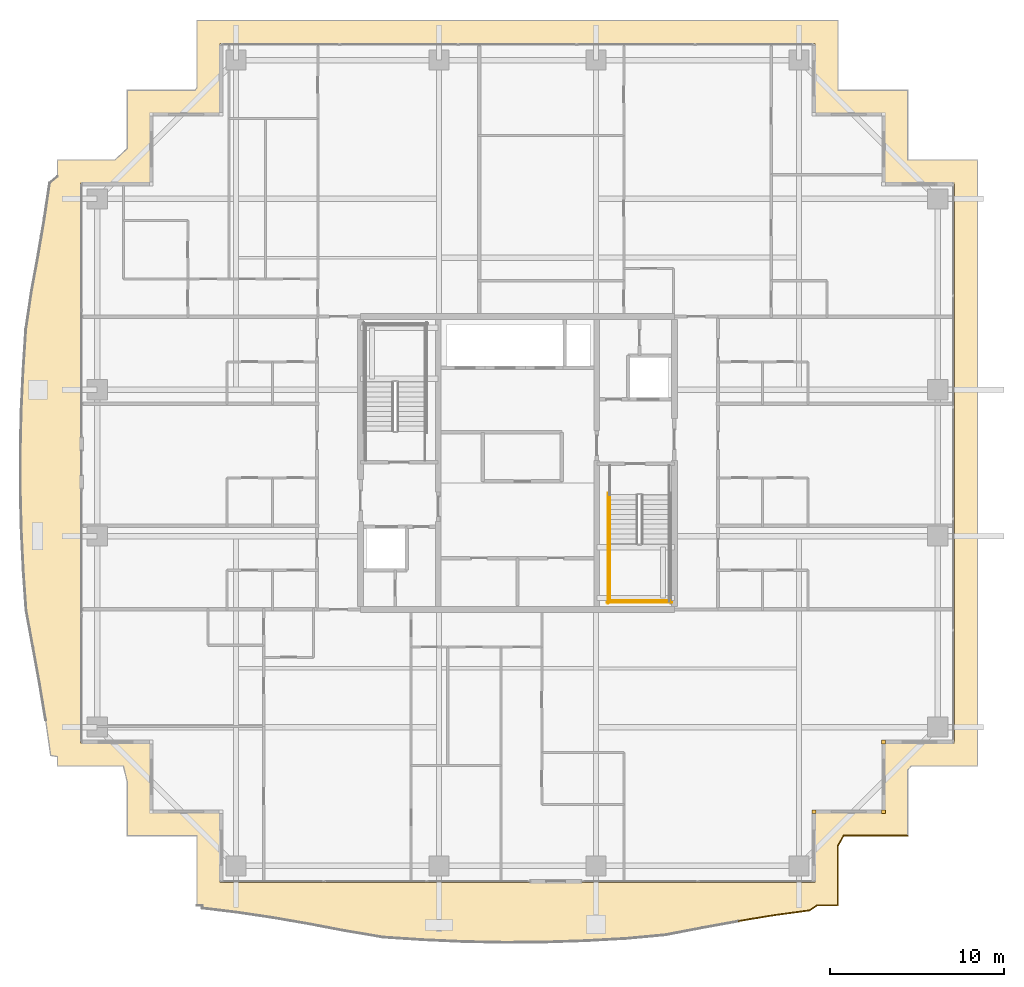
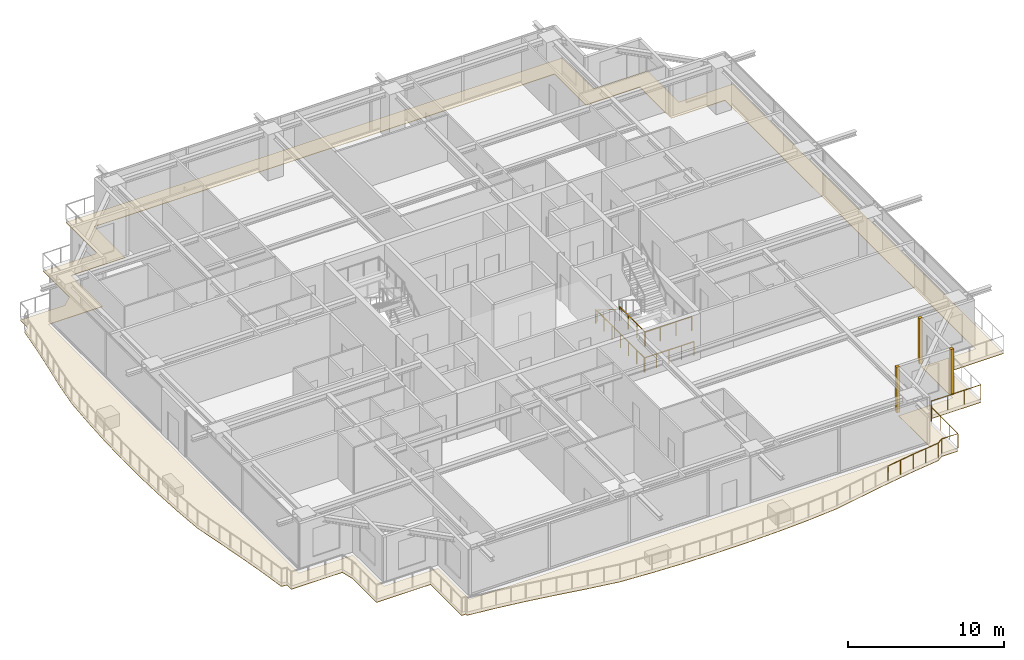
# One storey, part 34 of 36: 6 railings, 4 coverings.
"""IFC4 building model written with IfcOpenShell, lengths in metres."""

from ifc_helpers import new_model, si_unit, direction, frame, origin, origin_2d, place, context, subcontext, project, spatial, polyline, rectangle, circle, outline, extrude, source, transform, mapped, material, layer, layer_set, type_object, element, save


model = new_model("IFC4")

# Units and contexts
model_context = context("Model", 3, precision=1e-05, world=origin(), true_north=direction((0.0, 1.0)))
body_context = subcontext(model_context, "Body", "Model", "MODEL_VIEW")
ifc_project = project(units=[si_unit("LENGTHUNIT", "METRE"), si_unit("AREAUNIT", "SQUARE_METRE"), si_unit("VOLUMEUNIT", "CUBIC_METRE"), si_unit("PLANEANGLEUNIT", "RADIAN"), si_unit("MASSUNIT", "GRAM", prefix="KILO")], contexts=[model_context])

# Site, building, storey
site_placement = place(None, origin())
site = spatial("IfcSite", under=ifc_project, at=site_placement, CompositionType="ELEMENT")
building_placement = place(site_placement, origin())
building = spatial("IfcBuilding", under=site, at=building_placement, Name="Serunith Strait Residences", CompositionType="ELEMENT")
storey_placement = place(building_placement, frame((0.0, 0.0, 256.64990234375)))
storey = spatial("IfcBuildingStorey", under=building, at=storey_placement, Name="L64", CompositionType="ELEMENT", Elevation=256.64990234375)

# Covering
ifc_material_1 = material(Name="Golden Teak Exterior Timber Boarding", Category="wood")
ifc_layer_1 = layer(ifc_material_1, 0.034912109375, Name="Golden Teak Exterior Timber Boarding")
ifc_layer_set_1 = layer_set([ifc_layer_1], Name="Golden Teak Exterior Timber Boarding")
covering_type_1 = type_object("IfcCoveringType", Name="COV-TEAK-SOFFIT", PredefinedType="CEILING", material=ifc_layer_set_1)
covering_placement = place(storey_placement, frame((0.0, 0.0, -0.324951171875)))
element("IfcCovering", 1, at=covering_placement, inside=storey, type_object=covering_type_1, Name="L64 Golden-Teak Balcony Soffit Lining", PredefinedType="CEILING", context=body_context, shape_type="SweptSolid", body=[
    extrude(outline(polyline([(14.02001953125, -0.179931640625), (14.02001953125, 3.820068359375), (10.02001953125, 3.820068359375), (10.02001953125, 6.923828125), (9.799560546875, 7.820068359375), (6.02001953125, 7.820068359375), (6.02001953125, 8.360107421875), (5.632080078125, 8.42529296875), (5.34375, 10.454345703125), (5.0029296875, 12.506103515625), (4.621337890625, 14.597900390625), (4.225341796875, 16.74755859375), (4.06591796875, 19.013671875), (3.954345703125, 21.3125), (3.8955078125, 23.632080078125), (3.894287109375, 25.960205078125), (3.950439453125, 28.281982421875), (4.05859375, 30.584716796875), (4.208984375, 32.8583984375), (4.5322265625, 35.046630859375), (4.9189453125, 37.154296875), (5.27001953125, 39.21728515625), (5.5703125, 41.253173828125), (6.02001953125, 41.634765625), (6.02001953125, 42.580078125), (9.318603515625, 42.580078125), (10.02001953125, 43.2373046875), (10.02001953125, 46.580078125), (13.9189453125, 46.580078125), (14.02001953125, 46.734619140625), (14.02001953125, 50.580078125), (50.780029296875, 50.580078125), (50.780029296875, 46.580078125), (54.780029296875, 46.580078125), (54.780029296875, 42.580078125), (58.780029296875, 42.580078125), (58.780029296875, 7.820068359375), (54.97509765625, 7.820068359375), (54.780029296875, 7.597900390625), (54.780029296875, 3.820068359375), (51.106689453125, 3.820068359375), (50.780029296875, 3.230712890625), (50.780029296875, -0.179931640625), (49.564697265625, -0.179931640625), (49.153564453125, -0.465087890625), (47.12744140625, -0.74169921875), (45.081787109375, -1.076171875), (42.9990234375, -1.459716796875), (40.858642578125, -1.867919921875), (38.603271484375, -2.0751953125), (36.30126953125, -2.2041015625), (33.974365234375, -2.281005859375), (31.63623046875, -2.2978515625), (29.302001953125, -2.252685546875), (26.987060546875, -2.14990234375), (24.702880859375, -1.9990234375), (22.5244140625, -1.631591796875), (20.422607421875, -1.233154296875), (18.3662109375, -0.875732421875), (16.335693359375, -0.57421875), (14.31591796875, -0.330322265625), (14.317138671875, -0.179931640625), (14.02001953125, -0.179931640625)]), holes=[polyline([(49.455078125, 1.14501953125), (49.455078125, 5.14501953125), (53.455078125, 5.14501953125), (53.455078125, 9.14501953125), (57.455078125, 9.14501953125), (57.455078125, 41.2548828125), (53.455078125, 41.2548828125), (53.455078125, 45.2548828125), (49.455078125, 45.2548828125), (49.455078125, 49.2548828125), (15.344970703125, 49.2548828125), (15.344970703125, 45.2548828125), (11.344970703125, 45.2548828125), (11.344970703125, 41.2548828125), (7.344970703125, 41.2548828125), (7.344970703125, 9.14501953125), (11.344970703125, 9.14501953125), (11.344970703125, 5.14501953125), (15.344970703125, 5.14501953125), (15.344970703125, 1.14501953125), (49.455078125, 1.14501953125)])]), origin(), (0.0, 0.0, 1.0), 0.03515625),
])

# Railings
ifc_material_2 = material(Name="Stainless Steel & Laminated Glass Balustrade", Category="steel")
railing_type_1 = type_object("IfcRailingType", Name="RLG-BALC-1150", PredefinedType="BALUSTRADE", material=ifc_material_2)
railing_1_placement = place(storey_placement, frame((54.780029296875, 3.820068359375, -0.0498046875)))
element("IfcRailing", 2, at=railing_1_placement, inside=storey, type_object=railing_type_1, Name="L64 Swirling Balcony Perimeter Balustrade 6", PredefinedType="BALUSTRADE", context=body_context, shape_type="SweptSolid", body=[
    extrude(circle(Radius=0.02392578125, at=origin_2d()), frame((-0.001953125, 0.0, 1.1259765625), z_axis=(-1.0, 0.0, 0.0), x_axis=(0.0, -1.0, 0.0)), (0.0, 0.0, 1.0), 3.66943359375),
    extrude(circle(Radius=0.02392578125, at=origin_2d()), frame((-3.67431640625, -0.001708984375, 1.1259765625), z_axis=(-0.484781335904, -0.874635384808, 0.0), x_axis=(0.874635384808, -0.484781335904, 0.0)), (0.0, 0.0, 1.0), 0.669921875),
    extrude(circle(Radius=0.02392578125, at=origin_2d()), frame((-4.0, -0.59130859375, 1.1259765625), z_axis=(0.0, -1.0, 0.0), x_axis=(1.0, 0.0, 0.0)), (0.0, 0.0, 1.0), 3.40673828125),
    extrude(circle(Radius=0.02392578125, at=origin_2d()), frame((-4.001953125, -4.0, 1.1259765625), z_axis=(-1.0, 0.0, 0.0), x_axis=(0.0, -1.0, 0.0)), (0.0, 0.0, 1.0), 1.21142578125),
    extrude(circle(Radius=0.02392578125, at=origin_2d()), frame((-5.217041015625, -4.001220703125, 1.1259765625), z_axis=(-0.821700035745, -0.569920214816, 0.0), x_axis=(0.569920214816, -0.821700035745, 0.0)), (0.0, 0.0, 1.0), 0.496337890625),
    extrude(circle(Radius=0.02392578125, at=origin_2d()), frame((-5.62841796875, -4.285400390625, 1.1259765625), z_axis=(-0.990809087356, -0.135267706468, 0.0), x_axis=(0.135267706468, -0.990809087356, 0.0)), (0.0, 0.0, 1.0), 2.041015625),
    extrude(circle(Radius=0.02392578125, at=origin_2d()), frame((-7.654541015625, -4.56201171875, 1.1259765625), z_axis=(-0.986895393216, -0.161361342488, 0.0), x_axis=(0.161361342488, -0.986895393216, 0.0)), (0.0, 0.0, 1.0), 2.06884765625),
    extrude(circle(Radius=0.02099609375, at=origin_2d()), origin(), (0.0, 0.0, 1.0), 1.099853515625),
    extrude(circle(Radius=0.02099609375, at=origin_2d()), frame((-1.224365234375, 0.0, 0.0)), (0.0, 0.0, 1.0), 1.099853515625),
    extrude(circle(Radius=0.02099609375, at=origin_2d()), frame((-2.448974609375, 0.0, 0.0)), (0.0, 0.0, 1.0), 1.099853515625),
    extrude(circle(Radius=0.02099609375, at=origin_2d()), frame((-3.67333984375, 0.0, 0.0)), (0.0, 0.0, 1.0), 1.099853515625),
    extrude(circle(Radius=0.02099609375, at=origin_2d()), frame((-4.0, -0.58935546875, 0.0)), (0.0, 0.0, 1.0), 1.099853515625),
    extrude(circle(Radius=0.02099609375, at=origin_2d()), frame((-4.0, -1.726318359375, 0.0)), (0.0, 0.0, 1.0), 1.099853515625),
    extrude(circle(Radius=0.02099609375, at=origin_2d()), frame((-4.0, -2.863037109375, 0.0)), (0.0, 0.0, 1.0), 1.099853515625),
    extrude(circle(Radius=0.02099609375, at=origin_2d()), frame((-4.0, -4.0, 0.0)), (0.0, 0.0, 1.0), 1.099853515625),
    extrude(circle(Radius=0.02099609375, at=origin_2d()), frame((-5.21533203125, -4.0, 0.0)), (0.0, 0.0, 1.0), 1.099853515625),
    extrude(circle(Radius=0.02099609375, at=origin_2d()), frame((-5.62646484375, -4.28515625, 0.0)), (0.0, 0.0, 1.0), 1.099853515625),
    extrude(circle(Radius=0.02099609375, at=origin_2d()), frame((-6.6396484375, -4.42333984375, 0.0)), (0.0, 0.0, 1.0), 1.099853515625),
    extrude(circle(Radius=0.02099609375, at=origin_2d()), frame((-7.652587890625, -4.561767578125, 0.0)), (0.0, 0.0, 1.0), 1.099853515625),
    extrude(circle(Radius=0.02099609375, at=origin_2d()), frame((-8.67529296875, -4.72900390625, 0.0)), (0.0, 0.0, 1.0), 1.099853515625),
    extrude(circle(Radius=0.02099609375, at=origin_2d()), frame((-9.6982421875, -4.896240234375, 0.0)), (0.0, 0.0, 1.0), 1.099853515625),
])
ifc_material_3 = material(Name="Brushed stainless steel 316L", Category="steel")
railing_type_2 = type_object("IfcRailingType", Name="RLG-STAIR-GUARD", PredefinedType="BALUSTRADE", material=ifc_material_3)
railing_2_placement = place(storey_placement, frame((37.699951171875, 20.570068359375, 1.925048828125)))
element("IfcRailing", 3, at=railing_2_placement, inside=storey, type_object=railing_type_2, Name="L64 ST-2 stair guard 3", PredefinedType="BALUSTRADE", context=body_context, shape_type="SweptSolid", body=[
    extrude(circle(Radius=0.02392578125, at=origin_2d()), frame((0.0, -0.001953125, 1.076171875), z_axis=(0.0, -1.0, 0.0), x_axis=(1.0, 0.0, 0.0)), (0.0, 0.0, 1.0), 3.316162109375),
    extrude(circle(Radius=0.02099609375, at=origin_2d()), origin(), (0.0, 0.0, 1.0), 1.050048828125),
    extrude(circle(Radius=0.02099609375, at=origin_2d()), frame((0.0, -1.106689453125, 0.0)), (0.0, 0.0, 1.0), 1.050048828125),
    extrude(circle(Radius=0.02099609375, at=origin_2d()), frame((0.0, -2.21337890625, 0.0)), (0.0, 0.0, 1.0), 1.050048828125),
    extrude(circle(Radius=0.02099609375, at=origin_2d()), frame((0.0, -3.320068359375, 0.0)), (0.0, 0.0, 1.0), 1.050048828125),
])
railing_3_placement = place(storey_placement, frame((37.64990234375, 17.300048828125, 1.925048828125)))
element("IfcRailing", 4, at=railing_3_placement, inside=storey, type_object=railing_type_2, Name="L64 ST-2 stair guard 5", PredefinedType="BALUSTRADE", context=body_context, shape_type="SweptSolid", body=[
    extrude(circle(Radius=0.02392578125, at=origin_2d()), frame((0.001953125, 0.0, 1.076171875), z_axis=(1.0, 0.0, 0.0), x_axis=(0.0, 1.0, 0.0)), (0.0, 0.0, 1.0), 3.49609375),
    extrude(circle(Radius=0.02099609375, at=origin_2d()), origin(), (0.0, 0.0, 1.0), 1.050048828125),
    extrude(circle(Radius=0.02099609375, at=origin_2d()), frame((1.166748046875, 0.0, 0.0)), (0.0, 0.0, 1.0), 1.050048828125),
    extrude(circle(Radius=0.02099609375, at=origin_2d()), frame((2.333251953125, 0.0, 0.0)), (0.0, 0.0, 1.0), 1.050048828125),
    extrude(circle(Radius=0.02099609375, at=origin_2d()), frame((3.5, 0.0, 0.0)), (0.0, 0.0, 1.0), 1.050048828125),
])
railing_4_placement = place(storey_placement, frame((37.60009765625, 23.469970703125, 0.0)))
element("IfcRailing", 5, at=railing_4_placement, inside=storey, type_object=railing_type_2, Name="L64 ST-2 stair guard 10", PredefinedType="BALUSTRADE", context=body_context, shape_type="SweptSolid", body=[
    extrude(circle(Radius=0.02392578125, at=origin_2d()), frame((0.0, -0.001953125, 1.076171875), z_axis=(0.0, -1.0, 0.0), x_axis=(1.0, 0.0, 0.0)), (0.0, 0.0, 1.0), 6.316162109375),
    extrude(circle(Radius=0.02099609375, at=origin_2d()), origin(), (0.0, 0.0, 1.0), 1.050048828125),
    extrude(circle(Radius=0.02099609375, at=origin_2d()), frame((0.0, -1.05322265625, 0.0)), (0.0, 0.0, 1.0), 1.050048828125),
    extrude(circle(Radius=0.02099609375, at=origin_2d()), frame((0.0, -2.106689453125, 0.0)), (0.0, 0.0, 1.0), 1.050048828125),
    extrude(circle(Radius=0.02099609375, at=origin_2d()), frame((0.0, -3.16015625, 0.0)), (0.0, 0.0, 1.0), 1.050048828125),
    extrude(circle(Radius=0.02099609375, at=origin_2d()), frame((0.0, -4.21337890625, 0.0)), (0.0, 0.0, 1.0), 1.050048828125),
    extrude(circle(Radius=0.02099609375, at=origin_2d()), frame((0.0, -5.2666015625, 0.0)), (0.0, 0.0, 1.0), 1.050048828125),
    extrude(circle(Radius=0.02099609375, at=origin_2d()), frame((0.0, -6.320068359375, 0.0)), (0.0, 0.0, 1.0), 1.050048828125),
])
railing_5_placement = place(storey_placement, frame((37.550048828125, 17.199951171875, 0.0)))
element("IfcRailing", 6, at=railing_5_placement, inside=storey, type_object=railing_type_2, Name="L64 ST-2 stair guard 12", PredefinedType="BALUSTRADE", context=body_context, shape_type="SweptSolid", body=[
    extrude(circle(Radius=0.02392578125, at=origin_2d()), frame((0.001953125, 0.0, 1.076171875), z_axis=(1.0, 0.0, 0.0), x_axis=(0.0, 1.0, 0.0)), (0.0, 0.0, 1.0), 3.696044921875),
    extrude(circle(Radius=0.02099609375, at=origin_2d()), origin(), (0.0, 0.0, 1.0), 1.050048828125),
    extrude(circle(Radius=0.02099609375, at=origin_2d()), frame((0.925048828125, 0.0, 0.0)), (0.0, 0.0, 1.0), 1.050048828125),
    extrude(circle(Radius=0.02099609375, at=origin_2d()), frame((1.85009765625, 0.0, 0.0)), (0.0, 0.0, 1.0), 1.050048828125),
    extrude(circle(Radius=0.02099609375, at=origin_2d()), frame((2.77490234375, 0.0, 0.0)), (0.0, 0.0, 1.0), 1.050048828125),
    extrude(circle(Radius=0.02099609375, at=origin_2d()), frame((3.699951171875, 0.0, 0.0)), (0.0, 0.0, 1.0), 1.050048828125),
])
railing_type_3 = type_object("IfcRailingType", Name="RLG-STAIR-HR", PredefinedType="HANDRAIL", material=ifc_material_3)
railing_6_placement = place(storey_placement, frame((37.699951171875, 23.3701171875, 0.175048828125)))
element("IfcRailing", 7, at=railing_6_placement, inside=storey, type_object=railing_type_3, Name="L64 ST-2 stair handrail 1", PredefinedType="HANDRAIL", context=body_context, shape_type="SweptSolid", body=[
    extrude(circle(Radius=0.02392578125, at=origin_2d()), frame((0.0, -0.001708984375, 0.876953125), z_axis=(0.0, -0.847393994688, 0.530964610654), x_axis=(1.0, 0.0, 0.0)), (0.0, 0.0, 1.0), 3.630859375),
    extrude(circle(Radius=0.02099609375, at=origin_2d()), origin(), (0.0, 0.0, 1.0), 0.849853515625),
    extrude(circle(Radius=0.02099609375, at=origin_2d()), frame((0.0, -0.77001953125, 0.482421875)), (0.0, 0.0, 1.0), 0.849853515625),
    extrude(circle(Radius=0.02099609375, at=origin_2d()), frame((0.0, -1.5400390625, 0.96484375)), (0.0, 0.0, 1.0), 0.849853515625),
    extrude(circle(Radius=0.02099609375, at=origin_2d()), frame((0.0, -2.31005859375, 1.447509765625)), (0.0, 0.0, 1.0), 0.849853515625),
    extrude(circle(Radius=0.02099609375, at=origin_2d()), frame((0.0, -3.080078125, 1.929931640625)), (0.0, 0.0, 1.0), 0.849853515625),
])

# Coverings
ifc_material_4 = material(Name="Pale-Champagne Anodised Aluminium", Category="aluminium")
ifc_layer_2 = layer(ifc_material_4, 0.219970703125, Name="Pale-Champagne Anodised Aluminium")
ifc_layer_set_2 = layer_set([ifc_layer_2], Name="Pale-Champagne Anodised Aluminium")
covering_type_2 = type_object("IfcCoveringType", Name="COV-CORN-TRIM", PredefinedType="CLADDING", material=ifc_layer_set_2)
shared_shape = source(origin(), body_context, "Body", "SweptSolid", [
    extrude(rectangle(XDim=0.221923828125, YDim=0.221923828125, at=origin_2d()), origin(), (0.0, 0.0, 1.0), 3.574951171875),
])
for number, where, z_axis, x_axis, name in (
    (8, (49.39990234375, 5.199951171875, 0.0), (0.0, 0.0, 1.0), (1.0, 0.0, 0.0), "L64 Girih Serrated Corner Trim Post 02"),
    (9, (53.39990234375, 5.199951171875, 0.0), (0.0, 0.0, 1.0), (1.0, 0.0, 0.0), "L64 Girih Serrated Corner Trim Post 03"),
    (10, (53.39990234375, 9.199951171875, 0.0), (0.0, 0.0, 1.0), (1.0, 0.0, 0.0), "L64 Girih Serrated Corner Trim Post 04"),
):
    element("IfcCovering", number, at=place(storey_placement, frame(where, z_axis=z_axis, x_axis=x_axis)), inside=storey, type_object=covering_type_2, Name=name, PredefinedType="CLADDING", context=body_context, shape_type="MappedRepresentation", body=[
        mapped(shared_shape, transform((0.0, 0.0, 0.0), scale=1.0)),
    ])

save(model, "model.ifc")
